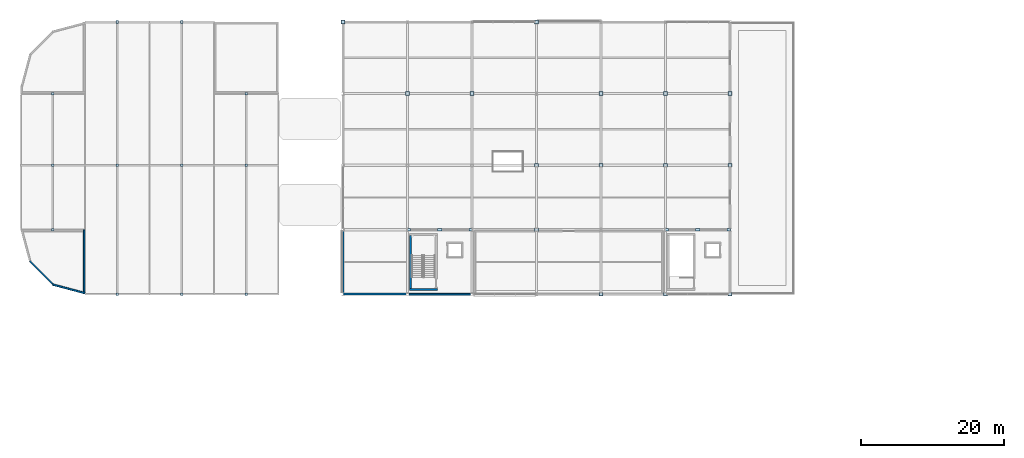
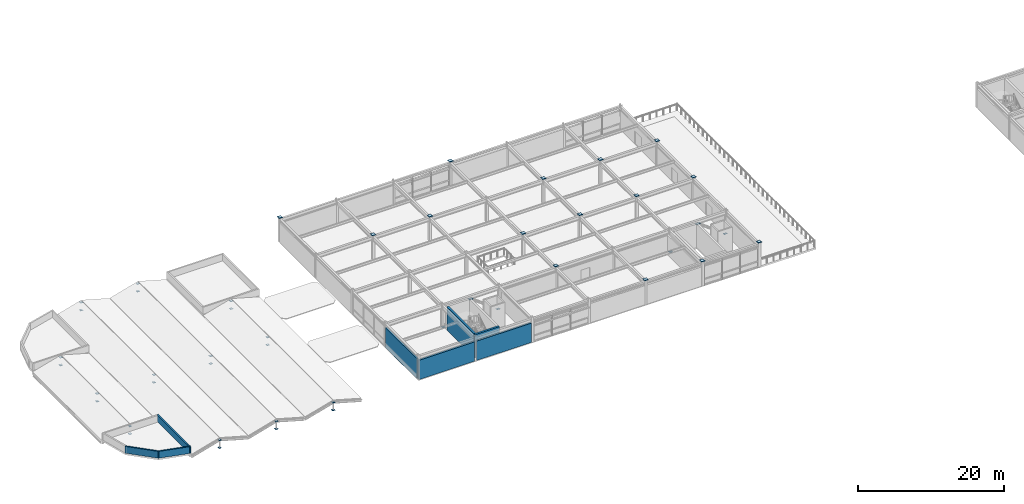
# One storey, part 28 of 40: 45 plates, 8 walls.
"""IFC4 building model written with IfcOpenShell, lengths in metres."""

import ifcopenshell
import ifcopenshell.guid

model = None  # the IFC model being written
_history = None  # IfcOwnerHistory: only IFC2X3 demands one
_inside = {}  # id of a spatial element -> (the spatial element, [elements in it])
_under = {}  # id of a project, library or spatial element -> (it, [spatial elements below it])
_declared = {}  # id of a project -> (the project, [libraries it declares])
_typed = {}  # id of a type object -> (the type object, [elements of that type])
_made_of = {}  # id of a material, layer set ... -> (it, [elements and type objects made of it])


def new_model(schema):
    """Start an empty IFC model of exactly this schema.

    Asked for "IFC4X3", IfcOpenShell would pick the latest addendum, in which some entities
    have other attributes; the version numbers below select the first issue.
    IFC2X3 requires an IfcOwnerHistory on every rooted entity: one is made here for all.
    """
    global model, _history
    if schema == "IFC4X3":
        model = ifcopenshell.file(schema_version=(4, 3, 0, 0))
    else:
        model = ifcopenshell.file(schema=schema)
    _inside.clear()
    _under.clear()
    _declared.clear()
    _typed.clear()
    _made_of.clear()
    _history = None
    if model.schema == "IFC2X3":
        org = make("IfcOrganization", Name="unknown")
        user = make(
            "IfcPersonAndOrganization",
            ThePerson=make("IfcPerson", FamilyName="unknown"),
            TheOrganization=org,
        )
        app = make(
            "IfcApplication",
            ApplicationDeveloper=org,
            Version="unknown",
            ApplicationFullName="unknown",
            ApplicationIdentifier="unknown",
        )
        _history = make(
            "IfcOwnerHistory",
            OwningUser=user,
            OwningApplication=app,
            ChangeAction="ADDED",
            CreationDate=0,
        )
    return model


def make(cls, **values):
    """One entity of the class cls with the attributes given. An attribute that is None is left unset."""
    return model.create_entity(
        cls, **{name: value for name, value in values.items() if value is not None}
    )


def rooted(cls, **values):
    """An entity with a GlobalId (a new one), such as an element, a storey or a relation."""
    return make(cls, GlobalId=ifcopenshell.guid.new(), OwnerHistory=_history, **values)


def si_unit(unit_type, name, prefix=None):
    """IfcSIUnit, for example si_unit("LENGTHUNIT", "METRE", prefix="MILLI")."""
    return make("IfcSIUnit", UnitType=unit_type, Prefix=prefix, Name=name)


def assignment(units):
    """IfcUnitAssignment: the units of a project."""
    return None if units is None else make("IfcUnitAssignment", Units=units)


def point(xyz):
    """IfcCartesianPoint."""
    return None if xyz is None else make("IfcCartesianPoint", Coordinates=xyz)


def direction(xyz):
    """IfcDirection."""
    return None if xyz is None else make("IfcDirection", DirectionRatios=xyz)


def frame(location, z_axis=None, x_axis=None):
    """IfcAxis2Placement3D, a coordinate frame: its origin and axes. An axis left out is left unset."""
    return make(
        "IfcAxis2Placement3D",
        Location=point(location),
        Axis=direction(z_axis),
        RefDirection=direction(x_axis),
    )


def frame_2d(location, x_axis=None):
    """IfcAxis2Placement2D, a coordinate frame in the plane: its origin and x axis."""
    return make(
        "IfcAxis2Placement2D", Location=point(location), RefDirection=direction(x_axis)
    )


def origin():
    """The frame at (0, 0, 0) with its axes left unset."""
    return frame((0.0, 0.0, 0.0))


def origin_2d():
    """The frame at (0, 0) in the plane with its x axis left unset."""
    return frame_2d((0.0, 0.0))


def place(relative_to, where):
    """IfcLocalPlacement: puts the frame where relative to a parent placement (None: the world)."""
    return make(
        "IfcLocalPlacement", PlacementRelTo=relative_to, RelativePlacement=where
    )


def context(
    kind, dimensions, precision=None, world=None, true_north=None, identifier=None
):
    """IfcGeometricRepresentationContext, for example the 3D "Model" context."""
    return make(
        "IfcGeometricRepresentationContext",
        ContextIdentifier=identifier,
        ContextType=kind,
        CoordinateSpaceDimension=dimensions,
        Precision=precision,
        WorldCoordinateSystem=world,
        TrueNorth=true_north,
    )


def subcontext(parent, identifier, kind, view, scale=None):
    """IfcGeometricRepresentationSubContext, for example "Body" below "Model"."""
    return make(
        "IfcGeometricRepresentationSubContext",
        ContextIdentifier=identifier,
        ContextType=kind,
        ParentContext=parent,
        TargetScale=scale,
        TargetView=view,
    )


def project(units=None, contexts=None):
    """IfcProject with its units and contexts."""
    return rooted(
        "IfcProject",
        Name="project",
        RepresentationContexts=contexts,
        UnitsInContext=assignment(units),
    )


def spatial(cls, under=None, at=None, **own):
    """A site, building, storey or space (cls), placed at a placement, below another one or the project."""
    s = rooted(cls, ObjectPlacement=at, **own)
    if under is not None:
        _under.setdefault(under.id(), (under, []))[1].append(s)
    return s


def profile(cls, at=None, kind="AREA", **sizes):
    """A parametric profile (cls). Its sizes go by their IFC names, for example OverallWidth=200.0."""
    return make(cls, ProfileType=kind, Position=at, **sizes)


def rectangle(**sizes):
    """IfcRectangleProfileDef."""
    return profile("IfcRectangleProfileDef", **sizes)


def extrude(swept, where, along, depth):
    """IfcExtrudedAreaSolid: the profile swept, set in the frame where, extruded along a direction by depth."""
    return make(
        "IfcExtrudedAreaSolid",
        SweptArea=swept,
        Position=where,
        ExtrudedDirection=direction(along),
        Depth=depth,
    )


def shape(context_of_items, identifier, shape_type, items):
    """IfcShapeRepresentation: the items that make up one representation, for example the "Body"."""
    return make(
        "IfcShapeRepresentation",
        ContextOfItems=context_of_items,
        RepresentationIdentifier=identifier,
        RepresentationType=shape_type,
        Items=items,
    )


def material(Name=None, Category=None):
    """IfcMaterial."""
    return make("IfcMaterial", Name=Name, Category=Category)


def layer(
    of_material, thickness, ventilated=None, Name=None, Category=None, Priority=None
):
    """IfcMaterialLayer: one layer of a wall or slab, of a material (None: an air gap)."""
    return make(
        "IfcMaterialLayer",
        Material=of_material,
        LayerThickness=thickness,
        IsVentilated=ventilated,
        Name=Name,
        Category=Category,
        Priority=Priority,
    )


def layer_set(layers, Name=None):
    """IfcMaterialLayerSet."""
    return make("IfcMaterialLayerSet", MaterialLayers=layers, LayerSetName=Name)


def made_of(thing, what):
    """Note that an element or type object is made of a material, layer set ...; save() writes the relation."""
    if what is not None:
        _made_of.setdefault(what.id(), (what, []))[1].append(thing)
    return thing


def type_object(cls, material=None, **own):
    """A type object (cls), such as IfcWallType, which elements share."""
    return made_of(rooted(cls, **own), material)


def element(
    cls,
    number,
    at=None,
    inside=None,
    cuts=None,
    type_object=None,
    material=None,
    context=None,
    identifier="Body",
    shape_type=None,
    held_by="IfcProductDefinitionShape",
    body=None,
    shapes=None,
    **own,
):
    """One element of the class cls, such as IfcWall. Its Tag is "e" and its number.

    at: its placement. inside: the storey or other place that contains it. cuts: it is an
    opening in that element (IfcRelVoidsElement). A single representation is given by context,
    identifier, shape_type and body (its items); several are given by shapes. held_by: the class
    of the entity that holds the representations. save() writes the other relations.
    """
    e = rooted(cls, Tag="e%d" % number, ObjectPlacement=at, **own)
    if body is not None:
        shapes = [shape(context, identifier, shape_type, body)]
    if shapes is not None:
        e.Representation = make(held_by, Representations=shapes)
    if inside is not None:
        _inside.setdefault(inside.id(), (inside, []))[1].append(e)
    if cuts is not None:
        rooted(
            "IfcRelVoidsElement", RelatingBuildingElement=cuts, RelatedOpeningElement=e
        )
    if type_object is not None:
        _typed.setdefault(type_object.id(), (type_object, []))[1].append(e)
    return made_of(e, material)


def aggregate(whole, parts):
    """IfcRelAggregates: a whole, such as a stair, and the parts it consists of."""
    return rooted("IfcRelAggregates", RelatingObject=whole, RelatedObjects=parts)


def save(model, path):
    """Write the relations noted so far, then the file.

    IfcRelAggregates (storeys below a building ...), IfcRelContainedInSpatialStructure (elements
    in a storey), IfcRelDefinesByType, IfcRelAssociatesMaterial and IfcRelDeclares: one each for
    every whole, place, type object, material and project.
    """
    for whole, parts in _under.values():
        aggregate(whole, parts)
    for where, things in _inside.values():
        rooted(
            "IfcRelContainedInSpatialStructure",
            RelatedElements=things,
            RelatingStructure=where,
        )
    for kind, things in _typed.values():
        rooted("IfcRelDefinesByType", RelatedObjects=things, RelatingType=kind)
    for what, things in _made_of.values():
        rooted("IfcRelAssociatesMaterial", RelatedObjects=things, RelatingMaterial=what)
    for by, libraries in _declared.values():
        rooted("IfcRelDeclares", RelatingContext=by, RelatedDefinitions=libraries)
    model.write(path)


model = new_model("IFC4")

# Units and contexts
model_context = context("Model", 3, precision=1e-05, world=origin(), true_north=direction((0.0, 1.0)))
body_context = subcontext(model_context, "Body", "Model", "MODEL_VIEW")
ifc_project = project(units=[si_unit("LENGTHUNIT", "METRE"), si_unit("AREAUNIT", "SQUARE_METRE"), si_unit("VOLUMEUNIT", "CUBIC_METRE"), si_unit("PLANEANGLEUNIT", "RADIAN"), si_unit("MASSUNIT", "GRAM", prefix="KILO")], contexts=[model_context])

# Site, building, storey
site_placement = place(None, origin())
site = spatial("IfcSite", under=ifc_project, at=site_placement, CompositionType="ELEMENT")
building_placement = place(site_placement, origin())
building = spatial("IfcBuilding", under=site, at=building_placement, Name="Suzunagisa Mobility Hub", CompositionType="ELEMENT")
storey_placement = place(building_placement, frame((0.0, 0.0, 21.89990234375)))
storey = spatial("IfcBuildingStorey", under=building, at=storey_placement, Name="L05", CompositionType="ELEMENT", Elevation=21.89990234375)

# Plates
ifc_material_1 = material(Name="Steel SN490B", Category="steel")
ifc_layer_1 = layer(ifc_material_1, 0.02392578125)
ifc_layer_set_1 = layer_set([ifc_layer_1], Name="Steel SN490B")
plate_type_1 = type_object("IfcPlateType", Name="Structural Steel Plate SP-01 550x550x24", PredefinedType="USERDEFINED", material=ifc_layer_set_1)
for number, where, z_axis, x_axis, name in (
    (1, (45.0, 118.0, 4.14013671875), (0.0, 0.0, 1.0), (1.0, 0.0, 0.0), "L05 Column Cap Plate CP-122"),
    (2, (54.0, 108.0, 4.14013671875), (0.0, 0.0, 1.0), (1.0, 0.0, 0.0), "L05 Column Cap Plate CP-132"),
    (3, (63.0, 108.0, 4.14013671875), (0.0, 0.0, 1.0), (1.0, 0.0, 0.0), "L05 Column Cap Plate CP-141"),
    (4, (72.0, 89.0, 4.14013671875), (0.0, 0.0, 1.0), (1.0, 0.0, 0.0), "L05 Column Cap Plate CP-155"),
    (5, (72.0, 98.0, 4.14013671875), (0.0, 0.0, 1.0), (1.0, 0.0, 0.0), "L05 Column Cap Plate CP-156"),
    (6, (72.0, 118.0, 4.14013671875), (0.0, 0.0, 1.0), (1.0, 0.0, 0.0), "L05 Column Cap Plate CP-158"),
    (7, (81.0, 80.0, 4.14013671875), (0.0, 0.0, 1.0), (1.0, 0.0, 0.0), "L05 Column Cap Plate CP-171"),
    (8, (81.0, 98.0, 4.14013671875), (0.0, 0.0, 1.0), (1.0, 0.0, 0.0), "L05 Column Cap Plate CP-173"),
    (9, (81.0, 108.0, 4.14013671875), (0.0, 0.0, 1.0), (1.0, 0.0, 0.0), "L05 Column Cap Plate CP-174"),
    (10, (90.0, 80.0, 4.14013671875), (0.0, 0.0, 1.0), (1.0, 0.0, 0.0), "L05 Column Cap Plate CP-186"),
    (11, (90.0, 98.0, 4.14013671875), (0.0, 0.0, 1.0), (1.0, 0.0, 0.0), "L05 Column Cap Plate CP-188"),
    (12, (90.0, 108.0, 4.14013671875), (0.0, 0.0, 1.0), (1.0, 0.0, 0.0), "L05 Column Cap Plate CP-189"),
    (13, (99.0, 80.0, 4.14013671875), (0.0, 0.0, 1.0), (1.0, 0.0, 0.0), "L05 Column Cap Plate CP-195"),
    (14, (99.0, 98.0, 4.14013671875), (0.0, 0.0, 1.0), (1.0, 0.0, 0.0), "L05 Column Cap Plate CP-197"),
    (15, (99.0, 108.0, 4.14013671875), (0.0, 0.0, 1.0), (1.0, 0.0, 0.0), "L05 Column Cap Plate CP-198"),
):
    element("IfcPlate", number, at=place(storey_placement, frame(where, z_axis=z_axis, x_axis=x_axis)), inside=storey, type_object=plate_type_1, Name=name, ObjectType="BASE PLATE", PredefinedType="USERDEFINED", context=body_context, shape_type="SweptSolid", body=[
        extrude(rectangle(XDim=0.550048828125, YDim=0.550048828125, at=origin_2d()), origin(), (0.0, 0.0, 1.0), 0.02392578125),
    ])
ifc_layer_2 = layer(ifc_material_1, 0.02392578125)
ifc_layer_set_2 = layer_set([ifc_layer_2], Name="Steel SN490B")
plate_type_2 = type_object("IfcPlateType", Name="Structural Steel Plate SP-03 380x380x24", PredefinedType="USERDEFINED", material=ifc_layer_set_2)
for number, where, z_axis, x_axis, name in (
    (16, (4.5, 89.0, 0.89111328125), (0.0, 0.0, 1.0), (1.0, 0.0, 0.0), "L05 Truss Post Cap 212"),
    (17, (4.5, 89.0, -0.40380859375), (0.0, 0.0, 1.0), (1.0, 0.0, 0.0), "L05 Truss Post Seat Plate 212"),
    (18, (4.5, 98.0, 0.89111328125), (0.0, 0.0, 1.0), (1.0, 0.0, 0.0), "L05 Truss Post Cap 215"),
    (19, (4.5, 98.0, -0.40380859375), (0.0, 0.0, 1.0), (1.0, 0.0, 0.0), "L05 Truss Post Seat Plate 215"),
    (20, (4.5, 108.0, 0.89111328125), (0.0, 0.0, 1.0), (1.0, 0.0, 0.0), "L05 Truss Post Cap 218"),
    (21, (4.5, 108.0, -0.40380859375), (0.0, 0.0, 1.0), (1.0, 0.0, 0.0), "L05 Truss Post Seat Plate 218"),
    (22, (13.5, 80.0, 0.89111328125), (0.0, 0.0, 1.0), (1.0, 0.0, 0.0), "L05 Truss Post Cap 222"),
    (23, (13.5, 80.0, -0.40380859375), (0.0, 0.0, 1.0), (1.0, 0.0, 0.0), "L05 Truss Post Seat Plate 222"),
    (24, (13.5, 98.0, 0.89111328125), (0.0, 0.0, 1.0), (1.0, 0.0, 0.0), "L05 Truss Post Cap 225"),
    (25, (13.5, 98.0, -0.40380859375), (0.0, 0.0, 1.0), (1.0, 0.0, 0.0), "L05 Truss Post Seat Plate 225"),
    (26, (13.5, 118.0, 0.89111328125), (0.0, 0.0, 1.0), (1.0, 0.0, 0.0), "L05 Truss Post Cap 228"),
    (27, (13.5, 118.0, -0.40380859375), (0.0, 0.0, 1.0), (1.0, 0.0, 0.0), "L05 Truss Post Seat Plate 228"),
    (28, (22.5, 80.0, 0.89111328125), (0.0, 0.0, 1.0), (1.0, 0.0, 0.0), "L05 Truss Post Cap 232"),
    (29, (22.5, 80.0, -0.40380859375), (0.0, 0.0, 1.0), (1.0, 0.0, 0.0), "L05 Truss Post Seat Plate 232"),
    (30, (22.5, 98.0, 0.89111328125), (0.0, 0.0, 1.0), (1.0, 0.0, 0.0), "L05 Truss Post Cap 235"),
    (31, (22.5, 98.0, -0.40380859375), (0.0, 0.0, 1.0), (1.0, 0.0, 0.0), "L05 Truss Post Seat Plate 235"),
    (32, (22.5, 118.0, 0.89111328125), (0.0, 0.0, 1.0), (1.0, 0.0, 0.0), "L05 Truss Post Cap 238"),
    (33, (22.5, 118.0, -0.40380859375), (0.0, 0.0, 1.0), (1.0, 0.0, 0.0), "L05 Truss Post Seat Plate 238"),
    (34, (31.5, 80.0, 0.89111328125), (0.0, 0.0, 1.0), (1.0, 0.0, 0.0), "L05 Truss Post Cap 242"),
    (35, (31.5, 80.0, -0.40380859375), (0.0, 0.0, 1.0), (1.0, 0.0, 0.0), "L05 Truss Post Seat Plate 242"),
    (36, (31.5, 98.0, 0.89111328125), (0.0, 0.0, 1.0), (1.0, 0.0, 0.0), "L05 Truss Post Cap 245"),
    (37, (31.5, 98.0, -0.40380859375), (0.0, 0.0, 1.0), (1.0, 0.0, 0.0), "L05 Truss Post Seat Plate 245"),
    (38, (31.5, 108.0, 0.89111328125), (0.0, 0.0, 1.0), (1.0, 0.0, 0.0), "L05 Truss Post Cap 248"),
    (39, (31.5, 108.0, -0.40380859375), (0.0, 0.0, 1.0), (1.0, 0.0, 0.0), "L05 Truss Post Seat Plate 248"),
):
    element("IfcPlate", number, at=place(storey_placement, frame(where, z_axis=z_axis, x_axis=x_axis)), inside=storey, type_object=plate_type_2, Name=name, ObjectType="BASE PLATE", PredefinedType="USERDEFINED", context=body_context, shape_type="SweptSolid", body=[
        extrude(rectangle(XDim=0.3798828125, YDim=0.3798828125, at=origin_2d()), origin(), (0.0, 0.0, 1.0), 0.02392578125),
    ])
ifc_layer_3 = layer(ifc_material_1, 0.028076171875)
ifc_layer_set_3 = layer_set([ifc_layer_3], Name="Steel SN490B")
plate_type_3 = type_object("IfcPlateType", Name="Structural Steel Plate SP-04 480x320x28", PredefinedType="USERDEFINED", material=ifc_layer_set_3)
for number, where, z_axis, x_axis, name in (
    (40, (54.169921875, 89.0, 0.10595703125), (0.0, 0.0, 1.0), (1.0, 0.0, 0.0), "L05 Brace Foot Gusset Plate FGP-118.1"),
    (41, (62.830078125, 89.0, 0.10595703125), (0.0, 0.0, 1.0), (1.0, 0.0, 0.0), "L05 Brace Foot Gusset Plate FGP-118.2"),
    (42, (90.169921875, 89.0, 0.10595703125), (0.0, 0.0, 1.0), (1.0, 0.0, 0.0), "L05 Brace Foot Gusset Plate FGP-124.1"),
    (43, (98.830078125, 89.0, 0.10595703125), (0.0, 0.0, 1.0), (1.0, 0.0, 0.0), "L05 Brace Foot Gusset Plate FGP-124.2"),
):
    element("IfcPlate", number, at=place(storey_placement, frame(where, z_axis=z_axis, x_axis=x_axis)), inside=storey, type_object=plate_type_3, Name=name, ObjectType="GUSSET PLATE", PredefinedType="USERDEFINED", context=body_context, shape_type="SweptSolid", body=[
        extrude(rectangle(XDim=0.47998046875, YDim=0.320068359375, at=origin_2d()), origin(), (0.0, 0.0, 1.0), 0.028076171875),
    ])
ifc_layer_4 = layer(ifc_material_1, 0.028076171875)
ifc_layer_set_4 = layer_set([ifc_layer_4], Name="Steel SN490B")
plate_type_4 = type_object("IfcPlateType", Name="Structural Steel Plate SP-06 600x400x28", PredefinedType="USERDEFINED", material=ifc_layer_set_4)
for number, where, z_axis, x_axis, name in (
    (44, (58.5, 89.0, 3.30419921875), (0.0, 0.0, 1.0), (1.0, 0.0, 0.0), "L05 Brace Apex Gusset GP-118"),
    (45, (94.5, 89.0, 3.30419921875), (0.0, 0.0, 1.0), (1.0, 0.0, 0.0), "L05 Brace Apex Gusset GP-124"),
):
    element("IfcPlate", number, at=place(storey_placement, frame(where, z_axis=z_axis, x_axis=x_axis)), inside=storey, type_object=plate_type_4, Name=name, ObjectType="GUSSET PLATE", PredefinedType="USERDEFINED", context=body_context, shape_type="SweptSolid", body=[
        extrude(rectangle(XDim=0.60009765625, YDim=0.39990234375, at=origin_2d()), origin(), (0.0, 0.0, 1.0), 0.028076171875),
    ])

# Walls
ifc_material_2 = material(Name="Porcelain-Faced Insulated Concrete C30/37 Wall", Category="concrete")
ifc_layer_5 = layer(ifc_material_2, 0.260009765625)
ifc_layer_set_5 = layer_set([ifc_layer_5], Name="Porcelain-Faced Insulated Concrete C30/37 Wall")
wall_type_1 = type_object("IfcWallType", Name="Exterior Wall EW-03 260mm", PredefinedType="SOLIDWALL", material=ifc_layer_set_5)
wall_1_placement = place(storey_placement, frame((54.175048828125, 80.0, 0.0), z_axis=(0.0, 0.0, 1.0), x_axis=(1.0, 0.0, 0.0)))
element("IfcWall", 46, at=wall_1_placement, inside=storey, type_object=wall_type_1, Name="L05 Exterior Facade Wall EW-242", PredefinedType="SOLIDWALL", context=body_context, shape_type="SweptSolid", body=[
    extrude(rectangle(XDim=8.64990234375, YDim=0.260009765625, at=frame_2d((4.324951171875, 0.0))), origin(), (0.0, 0.0, 1.0), 3.239990234375),
])
ifc_material_3 = material(Name="Lightweight Insulated Autoclaved Concrete C30/37 Wall", Category="concrete")
ifc_layer_6 = layer(ifc_material_3, 0.239990234375)
ifc_layer_set_6 = layer_set([ifc_layer_6], Name="Lightweight Insulated Autoclaved Concrete C30/37 Wall")
wall_type_2 = type_object("IfcWallType", Name="Exterior Wall EW-04 240mm", PredefinedType="SOLIDWALL", material=ifc_layer_set_6)
wall_2_placement = place(storey_placement, frame((45.0, 88.824951171875, 0.0), z_axis=(0.0, 0.0, 1.0), x_axis=(0.0, -1.0, 0.0)))
element("IfcWall", 47, at=wall_2_placement, inside=storey, type_object=wall_type_2, Name="L05 Exterior Facade Wall EW-255", PredefinedType="SOLIDWALL", context=body_context, shape_type="SweptSolid", body=[
    extrude(rectangle(XDim=8.6298828125, YDim=0.239990234375, at=frame_2d((4.31494140625, 0.0))), origin(), (0.0, 0.0, 1.0), 3.35205078125),
])
ifc_material_4 = material(Name="Concrete C30/37", Category="concrete")
ifc_layer_7 = layer(ifc_material_4, 0.219970703125)
ifc_layer_set_7 = layer_set([ifc_layer_7], Name="Concrete C30/37")
wall_type_3 = type_object("IfcWallType", Name="Exterior Wall EW-05 220mm", PredefinedType="PARAPET", material=ifc_layer_set_7)
wall_3_placement = place(storey_placement, frame((8.96630859375, 80.154052734375, 0.18017578125), z_axis=(0.0, 0.0, 1.0), x_axis=(-0.965923723713, 0.258826891896, 0.0)))
element("IfcWall", 48, at=wall_3_placement, inside=storey, type_object=wall_type_3, Name="L05 Roof Setback Parapet PR-487", PredefinedType="PARAPET", context=body_context, shape_type="SweptSolid", body=[
    extrude(rectangle(XDim=4.65869140625, YDim=0.219970703125, at=frame_2d((2.329345703125, 0.0))), origin(), (0.0, 0.0, 1.0), 1.139892578125),
])
wall_4_placement = place(storey_placement, frame((4.650390625, 81.25341796875, 0.18017578125), z_axis=(0.0, 0.0, 1.0), x_axis=(-0.707106781187, 0.707106781187, 0.0)))
element("IfcWall", 49, at=wall_4_placement, inside=storey, type_object=wall_type_3, Name="L05 Roof Setback Parapet PR-488", PredefinedType="PARAPET", context=body_context, shape_type="SweptSolid", body=[
    extrude(rectangle(XDim=4.803955078125, YDim=0.219970703125, at=frame_2d((2.40185546875, 0.0))), origin(), (0.0, 0.0, 1.0), 1.139892578125),
])
wall_5_placement = place(storey_placement, frame((8.860107421875, 88.969970703125, 0.18017578125), z_axis=(0.0, 0.0, 1.0), x_axis=(0.0, -1.0, 0.0)))
element("IfcWall", 50, at=wall_5_placement, inside=storey, type_object=wall_type_3, Name="L05 Roof Setback Parapet PR-491", PredefinedType="PARAPET", context=body_context, shape_type="SweptSolid", body=[
    extrude(rectangle(XDim=8.8974609375, YDim=0.219970703125, at=frame_2d((4.44873046875, 0.0))), origin(), (0.0, 0.0, 1.0), 1.139892578125),
])
ifc_layer_8 = layer(ifc_material_2, 0.280029296875)
ifc_layer_set_8 = layer_set([ifc_layer_8], Name="Porcelain-Faced Insulated Concrete C30/37 Wall")
wall_type_4 = type_object("IfcWallType", Name="Exterior Wall EW-08 280mm", PredefinedType="SOLIDWALL", material=ifc_layer_set_8)
wall_6_placement = place(storey_placement, frame((45.00439453125, 80.0, 0.0), z_axis=(0.0, 0.0, 1.0), x_axis=(1.0, 0.0, 0.0)))
element("IfcWall", 51, at=wall_6_placement, inside=storey, type_object=wall_type_4, Name="L05 Exterior Facade Wall EW-241", PredefinedType="SOLIDWALL", context=body_context, shape_type="SweptSolid", body=[
    extrude(rectangle(XDim=8.820556640625, YDim=0.280029296875, at=frame_2d((4.41015625, 0.0))), origin(), (0.0, 0.0, 1.0), 3.239990234375),
])
ifc_material_5 = material(Name="Concrete C35/45", Category="concrete")
ifc_layer_9 = layer(ifc_material_5, 0.31005859375)
ifc_layer_set_9 = layer_set([ifc_layer_9], Name="Concrete C35/45")
wall_type_5 = type_object("IfcWallType", Name="Interior Wall IW-01 310mm", PredefinedType="SHEAR", material=ifc_layer_set_9)
wall_7_placement = place(storey_placement, frame((54.25, 80.64501953125, 0.0), z_axis=(0.0, 0.0, 1.0), x_axis=(1.0, 0.0, 0.0)))
element("IfcWall", 52, at=wall_7_placement, inside=storey, type_object=wall_type_5, Name="L05 Core C3 Shear Wall SW-229", PredefinedType="SHEAR", context=body_context, shape_type="SweptSolid", body=[
    extrude(rectangle(XDim=3.89990234375, YDim=0.31005859375, at=frame_2d((1.949951171875, 0.0))), origin(), (0.0, 0.0, 1.0), 3.920166015625),
])
wall_8_placement = place(storey_placement, frame((54.405029296875, 80.800048828125, 0.0), z_axis=(0.0, 0.0, 1.0), x_axis=(0.0, 1.0, 0.0)))
element("IfcWall", 53, at=wall_8_placement, inside=storey, type_object=wall_type_5, Name="L05 Core C3 Shear Wall SW-231", PredefinedType="SHEAR", context=body_context, shape_type="SweptSolid", body=[
    extrude(rectangle(XDim=7.39990234375, YDim=0.31005859375, at=frame_2d((3.699951171875, 0.0))), origin(), (0.0, 0.0, 1.0), 3.920166015625),
])

save(model, "model.ifc")
